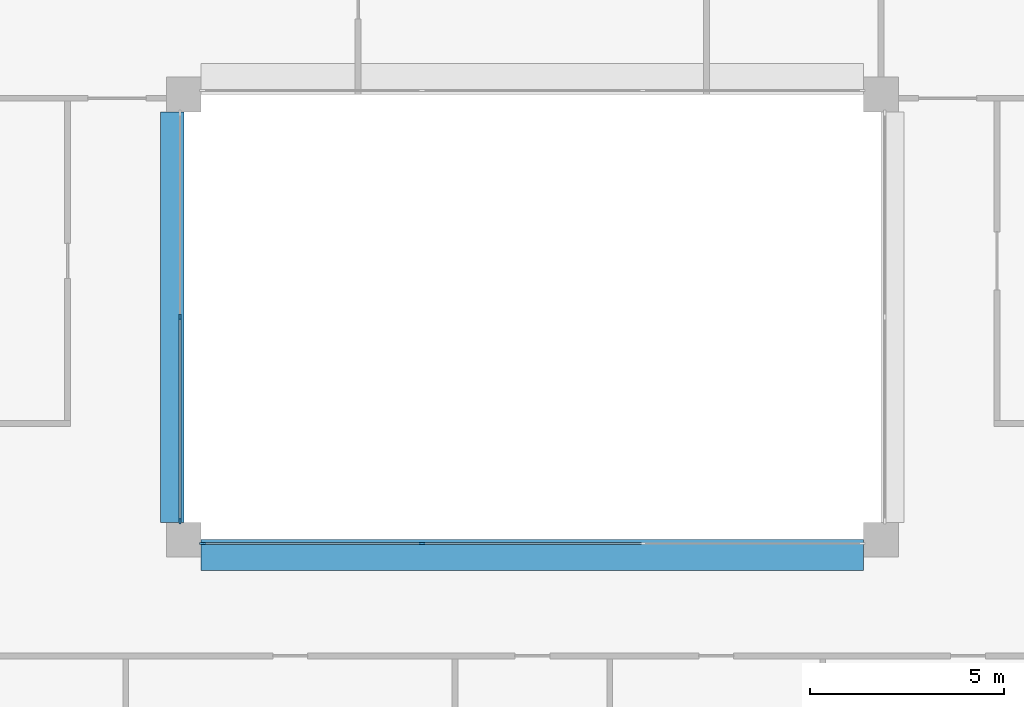
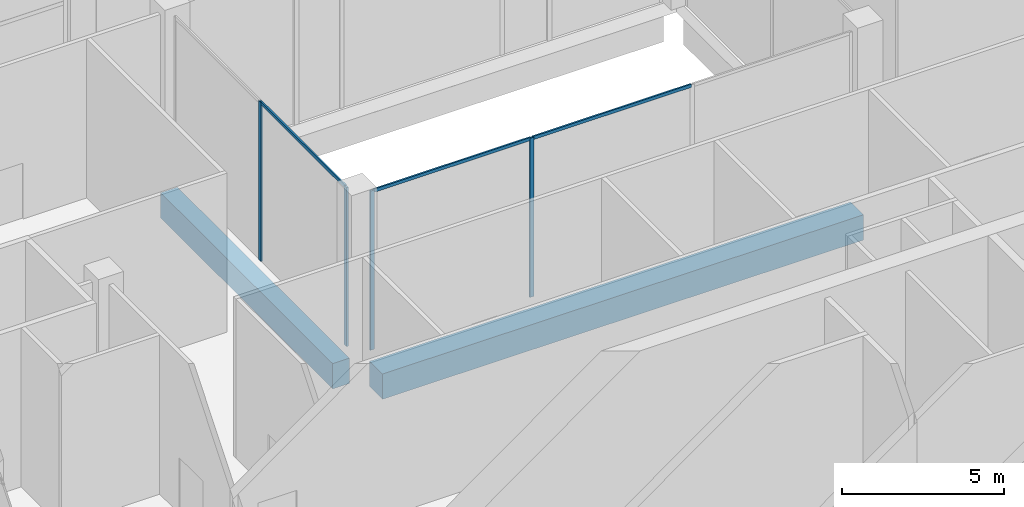
# One storey, part 3 of 18: 7 members, 2 beams, 2 elements without a shape of their own.
"""IFC4 building model written with IfcOpenShell, lengths in metres."""

from ifc_helpers import new_model, si_unit, direction, frame, origin, origin_2d, place, context, subcontext, project, spatial, rectangle, extrude, material, layer, layer_set, material_profile, profile_set, type_object, element, aggregate, save


model = new_model("IFC4")

# Units and contexts
model_context = context("Model", 3, precision=1e-05, world=origin(), true_north=direction((0.0, 1.0)))
body_context = subcontext(model_context, "Body", "Model", "MODEL_VIEW")
ifc_project = project(units=[si_unit("LENGTHUNIT", "METRE"), si_unit("AREAUNIT", "SQUARE_METRE"), si_unit("VOLUMEUNIT", "CUBIC_METRE"), si_unit("PLANEANGLEUNIT", "RADIAN"), si_unit("MASSUNIT", "GRAM", prefix="KILO")], contexts=[model_context])

# Site, building, storey
site_placement = place(None, origin())
site = spatial("IfcSite", under=ifc_project, at=site_placement, CompositionType="ELEMENT")
building_placement = place(site_placement, origin())
building = spatial("IfcBuilding", under=site, at=building_placement, Name="Brigalow Station Residences", CompositionType="ELEMENT")
storey_placement = place(building_placement, frame((0.0, 0.0, 191.699951171875)))
storey = spatial("IfcBuildingStorey", under=building, at=storey_placement, Name="L55", CompositionType="ELEMENT", Elevation=191.699951171875)

# Beams
ifc_material_1 = material(Name="Concrete C65", Category="concrete")
ifc_material_profile_1 = material_profile(ifc_material_1, rectangle(XDim=0.60009765625, YDim=0.949951171875, at=origin_2d()), Name="RC600x950")
ifc_profile_set_1 = profile_set([ifc_material_profile_1], Name="Concrete C65")
beam_type_1 = type_object("IfcBeamType", Name="ATRIUM EDGE GIRDER 600x950 C65", PredefinedType="BEAM", material=ifc_profile_set_1)
beam_1_placement = place(storey_placement, frame((26.699951171875, 24.449951171875, -0.974853515625), z_axis=(0.0, 1.0, 0.0), x_axis=(-1.0, 0.0, 0.0)))
element("IfcBeam", 1, at=beam_1_placement, inside=storey, type_object=beam_type_1, Name="ATRIUM EDGE GIRDER 3 L55", PredefinedType="BEAM", context=body_context, shape_type="SweptSolid", body=[
    extrude(rectangle(XDim=0.60009765625, YDim=0.949951171875, at=origin_2d()), origin(), (0.0, 0.0, 1.0), 10.60009765625),
])
ifc_material_2 = material(Name="Concrete C65", Category="concrete")
ifc_material_profile_2 = material_profile(ifc_material_2, rectangle(XDim=0.800048828125, YDim=0.949951171875, at=origin_2d()), Name="RC800x950")
ifc_profile_set_2 = profile_set([ifc_material_profile_2], Name="Concrete C65")
beam_type_2 = type_object("IfcBeamType", Name="ATRIUM EDGE GIRDER OVER 13.5 M SPAN 800x950 C65", PredefinedType="BEAM", material=ifc_profile_set_2)
beam_2_placement = place(storey_placement, frame((27.449951171875, 23.60009765625, -0.974853515625), z_axis=(1.0, 0.0, 0.0), x_axis=(0.0, 1.0, 0.0)))
element("IfcBeam", 2, at=beam_2_placement, inside=storey, type_object=beam_type_2, Name="ATRIUM EDGE GIRDER C L55", PredefinedType="BEAM", context=body_context, shape_type="SweptSolid", body=[
    extrude(rectangle(XDim=0.800048828125, YDim=0.949951171875, at=origin_2d()), origin(), (0.0, 0.0, 1.0), 17.10009765625),
])

# Curtain wall, members
ifc_material_3 = material(Name="Aluminium", Category="aluminium")
ifc_layer = layer(ifc_material_3, 0.14990234375)
ifc_layer_set = layer_set([ifc_layer], Name="ATRIUM FIRE-RATED GLAZING CURTAIN WALL")
curtain_wall_type = type_object("IfcCurtainWallType", Name="ATRIUM FIRE-RATED GLAZING CURTAIN WALL", PredefinedType="NOTDEFINED", material=ifc_layer_set)
curtain_wall_1_placement = place(storey_placement, origin())
curtain_wall_1 = element("IfcCurtainWall", 3, at=curtain_wall_1_placement, inside=storey, type_object=curtain_wall_type, Name="L55/cw/atrium-S", PredefinedType="NOTDEFINED")
ifc_material_4 = material(Name="Aluminium", Category="aluminium")
ifc_material_profile_3 = material_profile(ifc_material_4, rectangle(XDim=0.06005859375, YDim=0.14990234375, at=origin_2d()), Name="ATRIUM FIRE-RATED GLAZING MULLION 60x150")
ifc_profile_set_3 = profile_set([ifc_material_profile_3], Name="Aluminium")
member_type_1 = type_object("IfcMemberType", Name="ATRIUM FIRE-RATED GLAZING MULLION 60x150", PredefinedType="MULLION", material=ifc_profile_set_3)
member_1_placement = place(storey_placement, frame((27.47998046875, 23.89990234375, 0.0), z_axis=(0.0, 0.0, 1.0), x_axis=(0.0, 1.0, 0.0)))
member_1 = element("IfcMember", 4, at=member_1_placement, type_object=member_type_1, Name="L55/cw/atrium-S/M00", PredefinedType="MULLION", context=body_context, shape_type="SweptSolid", body=[
    extrude(rectangle(XDim=0.06005859375, YDim=0.14990234375, at=origin_2d()), origin(), (0.0, 0.0, 1.0), 5.97998046875),
])
member_2_placement = place(storey_placement, frame((33.14990234375, 23.89990234375, 0.0), z_axis=(0.0, 0.0, 1.0), x_axis=(0.0, 1.0, 0.0)))
member_2 = element("IfcMember", 5, at=member_2_placement, type_object=member_type_1, Name="L55/cw/atrium-S/M01", PredefinedType="MULLION", context=body_context, shape_type="SweptSolid", body=[
    extrude(rectangle(XDim=0.06005859375, YDim=0.14990234375, at=origin_2d()), origin(), (0.0, 0.0, 1.0), 5.97998046875),
])

curtain_wall_2_placement = place(storey_placement, origin())
curtain_wall_2 = element("IfcCurtainWall", 6, at=curtain_wall_2_placement, inside=storey, type_object=curtain_wall_type, Name="L55/cw/atrium-W", PredefinedType="NOTDEFINED")
member_3_placement = place(storey_placement, frame((26.89990234375, 29.75, 0.0), z_axis=(0.0, 0.0, 1.0), x_axis=(1.0, 0.0, 0.0)))
member_3 = element("IfcMember", 7, at=member_3_placement, type_object=member_type_1, Name="L55/cw/atrium-W/M01", PredefinedType="MULLION", context=body_context, shape_type="SweptSolid", body=[
    extrude(rectangle(XDim=0.06005859375, YDim=0.14990234375, at=origin_2d()), origin(), (0.0, 0.0, 1.0), 5.97998046875),
])
member_4_placement = place(storey_placement, frame((26.89990234375, 24.47998046875, 0.0), z_axis=(0.0, 0.0, 1.0), x_axis=(1.0, 0.0, 0.0)))
member_4 = element("IfcMember", 8, at=member_4_placement, type_object=member_type_1, Name="L55/cw/atrium-W/M02", PredefinedType="MULLION", context=body_context, shape_type="SweptSolid", body=[
    extrude(rectangle(XDim=0.06005859375, YDim=0.14990234375, at=origin_2d()), origin(), (0.0, 0.0, 1.0), 5.97998046875),
])

# Member
ifc_material_5 = material(Name="Aluminium", Category="aluminium")
ifc_material_profile_4 = material_profile(ifc_material_5, rectangle(XDim=0.06005859375, YDim=0.1201171875, at=origin_2d()), Name="ATRIUM FIRE-RATED GLAZING TRANSOM 60x120")
ifc_profile_set_4 = profile_set([ifc_material_profile_4], Name="Aluminium")
member_type_2 = type_object("IfcMemberType", Name="ATRIUM FIRE-RATED GLAZING TRANSOM 60x120", PredefinedType="USERDEFINED", material=ifc_profile_set_4)
member_5_placement = place(storey_placement, frame((27.510009765625, 23.89990234375, 5.949951171875), z_axis=(1.0, 0.0, 0.0), x_axis=(0.0, 1.0, 0.0)))
member_5 = element("IfcMember", 9, at=member_5_placement, type_object=member_type_2, Name="L55/cw/atrium-S/T00-00", ObjectType="TRANSOM", PredefinedType="USERDEFINED", context=body_context, shape_type="SweptSolid", body=[
    extrude(rectangle(XDim=0.06005859375, YDim=0.1201171875, at=origin_2d()), origin(), (0.0, 0.0, 1.0), 5.610107421875),
])

member_6_placement = place(storey_placement, frame((33.179931640625, 23.89990234375, 5.949951171875), z_axis=(1.0, 0.0, 0.0), x_axis=(0.0, 1.0, 0.0)))
member_6 = element("IfcMember", 10, at=member_6_placement, type_object=member_type_2, Name="L55/cw/atrium-S/T01-00", ObjectType="TRANSOM", PredefinedType="USERDEFINED", context=body_context, shape_type="SweptSolid", body=[
    extrude(rectangle(XDim=0.06005859375, YDim=0.1201171875, at=origin_2d()), origin(), (0.0, 0.0, 1.0), 5.64013671875),
])

aggregate(curtain_wall_1, [member_1, member_2, member_5, member_6])

member_7_placement = place(storey_placement, frame((26.89990234375, 29.719970703125, 5.949951171875), z_axis=(0.0, -1.0, 0.0), x_axis=(1.0, 0.0, 0.0)))
member_7 = element("IfcMember", 11, at=member_7_placement, type_object=member_type_2, Name="L55/cw/atrium-W/T01-00", ObjectType="TRANSOM", PredefinedType="USERDEFINED", context=body_context, shape_type="SweptSolid", body=[
    extrude(rectangle(XDim=0.06005859375, YDim=0.1201171875, at=origin_2d()), origin(), (0.0, 0.0, 1.0), 5.2099609375),
])

aggregate(curtain_wall_2, [member_3, member_4, member_7])

save(model, "model.ifc")
